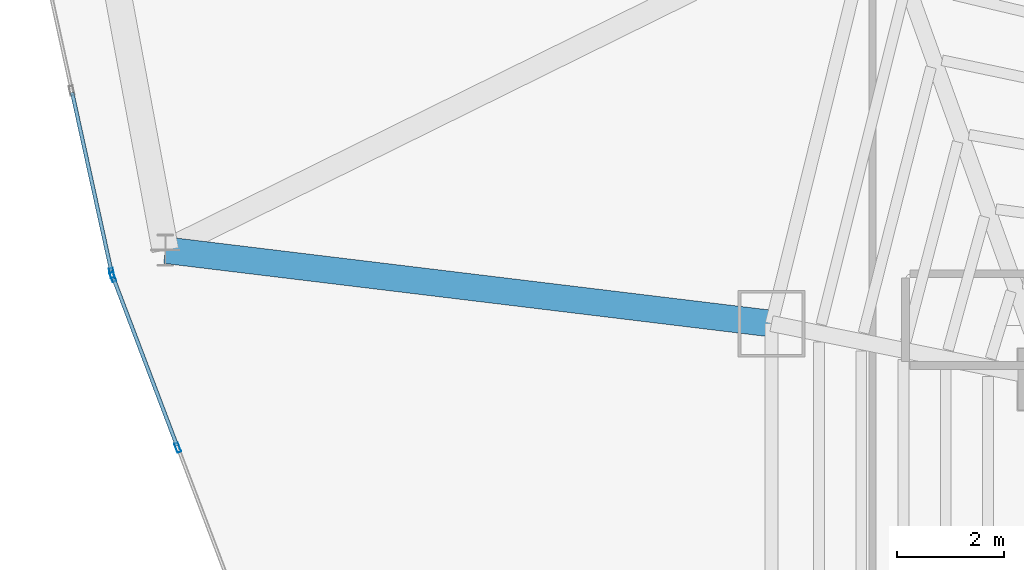
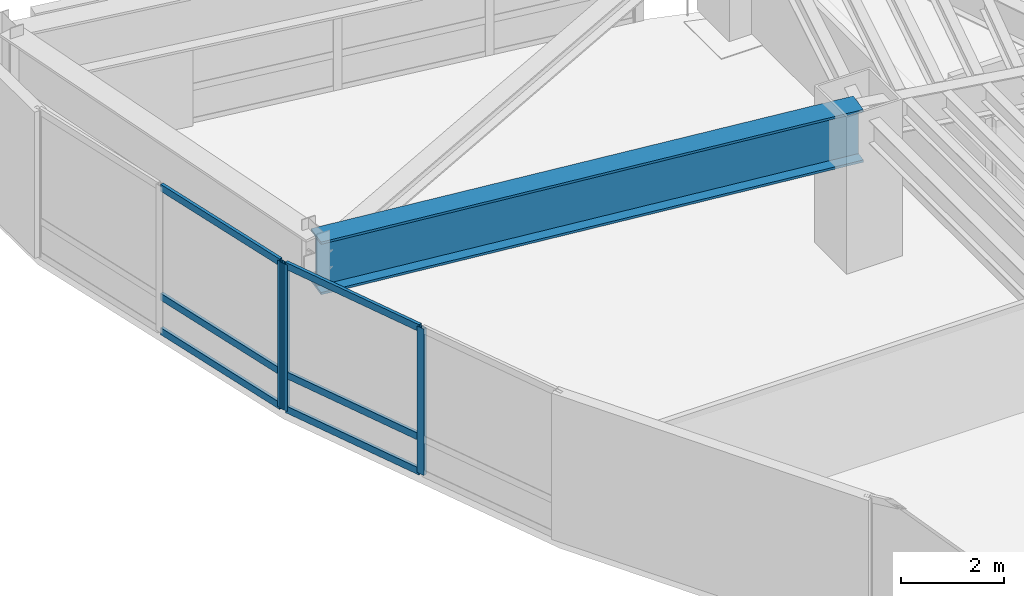
# One storey, part 8 of 23: 9 members, 1 beam, 2 elements without a shape of their own.
"""IFC4 building model written with IfcOpenShell, lengths in metres."""

from ifc_helpers import new_model, si_unit, direction, frame, origin, origin_2d, place, context, subcontext, project, spatial, hollow_rectangle, i_section, extrude, material, layer, layer_set, material_profile, profile_set, type_object, element, aggregate, save


model = new_model("IFC4")

# Units and contexts
model_context = context("Model", 3, precision=1e-05, world=origin(), true_north=direction((0.0, 1.0)))
body_context = subcontext(model_context, "Body", "Model", "MODEL_VIEW")
ifc_project = project(units=[si_unit("LENGTHUNIT", "METRE"), si_unit("AREAUNIT", "SQUARE_METRE"), si_unit("VOLUMEUNIT", "CUBIC_METRE"), si_unit("PLANEANGLEUNIT", "RADIAN"), si_unit("MASSUNIT", "GRAM", prefix="KILO")], contexts=[model_context])

# Site, building, storey
site_placement = place(None, origin())
site = spatial("IfcSite", under=ifc_project, at=site_placement, CompositionType="ELEMENT")
building_placement = place(site_placement, origin())
building = spatial("IfcBuilding", under=site, at=building_placement, Name="Menara Vayukalpa", CompositionType="ELEMENT")
storey_placement = place(building_placement, frame((0.0, 0.0, 107.699951171875)))
storey = spatial("IfcBuildingStorey", under=building, at=storey_placement, Name="L26", CompositionType="ELEMENT", Elevation=107.699951171875)

# Beam
ifc_material_1 = material(Name="Steel S460", Category="steel")
ifc_material_profile_1 = material_profile(ifc_material_1, i_section(OverallWidth=0.5, OverallDepth=1.25, WebThickness=0.028076171875, FlangeThickness=0.054931640625, at=origin_2d()), Name="WG 1250x500x28x55")
ifc_profile_set_1 = profile_set([ifc_material_profile_1], Name="Steel S460")
beam_type = type_object("IfcBeamType", Name="BM-TG2", PredefinedType="BEAM", material=ifc_profile_set_1)
beam_placement = place(storey_placement, frame((12.606689453125, 27.845703125, 2.844970703125), z_axis=(-0.992737332151, 0.120302075433, 0.0), x_axis=(-0.120302075433, -0.992737332151, 0.0)))
element("IfcBeam", 1, at=beam_placement, inside=storey, type_object=beam_type, Name="L26 SB2 Sky Bar Vierendeel Girder 05", PredefinedType="BEAM", context=body_context, shape_type="SweptSolid", body=[
    extrude(i_section(OverallWidth=0.5, OverallDepth=1.25, WebThickness=0.028076171875, FlangeThickness=0.054931640625, at=origin_2d()), origin(), (0.0, 0.0, 1.0), 11.449951171875),
])

# Curtain wall, member
ifc_material_2 = material(Name="Anodised Terracotta Aluminium Alloy 6063-T6", Category="masonry")
ifc_layer = layer(ifc_material_2, 0.179931640625)
ifc_layer_set = layer_set([ifc_layer], Name="Anodised Terracotta Aluminium Alloy 6063-T6")
curtain_wall_type = type_object("IfcCurtainWallType", Name="CW-CW4", PredefinedType="USERDEFINED", material=ifc_layer_set)
curtain_wall_1_placement = place(storey_placement, origin())
curtain_wall_1 = element("IfcCurtainWall", 2, at=curtain_wall_1_placement, inside=storey, type_object=curtain_wall_type, Name="L26 Sky Bar Cantilever Glazed Curtain Wall CW4 10", ObjectType="UNITISED", PredefinedType="USERDEFINED")
ifc_material_3 = material(Name="Anodised Terracotta Aluminium Alloy 6063-T6", Category="masonry")
ifc_material_profile_2 = material_profile(ifc_material_3, hollow_rectangle(XDim=0.074951171875, YDim=0.179931640625, WallThickness=0.00390625, at=origin_2d()), Name="ALU 75x180x4")
ifc_profile_set_2 = profile_set([ifc_material_profile_2], Name="Anodised Terracotta Aluminium Alloy 6063-T6")
member_type_1 = type_object("IfcMemberType", Name="CWM-CW4", PredefinedType="MULLION", material=ifc_profile_set_2)
member_1_placement = place(storey_placement, frame((0.2353515625, 28.793701171875, 0.0), z_axis=(0.0, 0.0, 1.0), x_axis=(0.976721757533, 0.214510159112, 0.0)))
member_1 = element("IfcMember", 3, at=member_1_placement, type_object=member_type_1, Name="CW4 mullion 3", PredefinedType="MULLION", context=body_context, shape_type="SweptSolid", body=[
    extrude(hollow_rectangle(XDim=0.074951171875, YDim=0.179931640625, WallThickness=0.00390625, at=origin_2d()), origin(), (0.0, 0.0, 1.0), 3.469970703125),
])

# Curtain wall, members
curtain_wall_2_placement = place(storey_placement, origin())
curtain_wall_2 = element("IfcCurtainWall", 4, at=curtain_wall_2_placement, inside=storey, type_object=curtain_wall_type, Name="L26 Sky Bar Cantilever Glazed Curtain Wall CW4 11", ObjectType="UNITISED", PredefinedType="USERDEFINED")
member_2_placement = place(storey_placement, frame((0.2568359375, 28.721923828125, 0.0), z_axis=(0.0, 0.0, 1.0), x_axis=(0.934964177732, 0.354742140657, 0.0)))
member_2 = element("IfcMember", 5, at=member_2_placement, type_object=member_type_1, Name="CW4 mullion 1", PredefinedType="MULLION", context=body_context, shape_type="SweptSolid", body=[
    extrude(hollow_rectangle(XDim=0.074951171875, YDim=0.179931640625, WallThickness=0.00390625, at=origin_2d()), origin(), (0.0, 0.0, 1.0), 3.469970703125),
])
member_3_placement = place(storey_placement, frame((1.47216796875, 25.518798828125, 0.0), z_axis=(0.0, 0.0, 1.0), x_axis=(0.934964177732, 0.354742140657, 0.0)))
member_3 = element("IfcMember", 6, at=member_3_placement, type_object=member_type_1, Name="CW4 mullion 2", PredefinedType="MULLION", context=body_context, shape_type="SweptSolid", body=[
    extrude(hollow_rectangle(XDim=0.074951171875, YDim=0.179931640625, WallThickness=0.00390625, at=origin_2d()), origin(), (0.0, 0.0, 1.0), 3.469970703125),
])

# Member
ifc_material_4 = material(Name="Anodised Terracotta Aluminium Alloy 6063-T6", Category="masonry")
ifc_material_profile_3 = material_profile(ifc_material_4, hollow_rectangle(XDim=0.070068359375, YDim=0.1650390625, WallThickness=0.00390625, at=origin_2d()), Name="ALU 70x165x4")
ifc_profile_set_3 = profile_set([ifc_material_profile_3], Name="Anodised Terracotta Aluminium Alloy 6063-T6")
member_type_2 = type_object("IfcMemberType", Name="CWT-CW4", PredefinedType="USERDEFINED", material=ifc_profile_set_3)
member_4_placement = place(storey_placement, frame((-0.5078125, 32.17822265625, 0.03515625), z_axis=(0.214463645248, -0.976731971867, 0.0), x_axis=(0.976731971867, 0.214463645248, 0.0)))
member_4 = element("IfcMember", 7, at=member_4_placement, type_object=member_type_2, Name="CW4 transom 2.1", ObjectType="TRANSOM", PredefinedType="USERDEFINED", context=body_context, shape_type="SweptSolid", body=[
    extrude(hollow_rectangle(XDim=0.070068359375, YDim=0.1650390625, WallThickness=0.00390625, at=origin_2d()), origin(), (0.0, 0.0, 1.0), 3.427734375),
])

member_5_placement = place(storey_placement, frame((-0.5078125, 32.17822265625, 0.85009765625), z_axis=(0.214463645248, -0.976731971867, 0.0), x_axis=(0.976731971867, 0.214463645248, 0.0)))
member_5 = element("IfcMember", 8, at=member_5_placement, type_object=member_type_2, Name="CW4 transom 2.2", ObjectType="TRANSOM", PredefinedType="USERDEFINED", context=body_context, shape_type="SweptSolid", body=[
    extrude(hollow_rectangle(XDim=0.070068359375, YDim=0.1650390625, WallThickness=0.00390625, at=origin_2d()), origin(), (0.0, 0.0, 1.0), 3.427734375),
])

member_6_placement = place(storey_placement, frame((-0.5078125, 32.17822265625, 3.43505859375), z_axis=(0.214463645248, -0.976731971867, 0.0), x_axis=(0.976731971867, 0.214463645248, 0.0)))
member_6 = element("IfcMember", 9, at=member_6_placement, type_object=member_type_2, Name="CW4 transom 2.3", ObjectType="TRANSOM", PredefinedType="USERDEFINED", context=body_context, shape_type="SweptSolid", body=[
    extrude(hollow_rectangle(XDim=0.070068359375, YDim=0.1650390625, WallThickness=0.00390625, at=origin_2d()), origin(), (0.0, 0.0, 1.0), 3.427734375),
])

aggregate(curtain_wall_1, [member_1, member_4, member_5, member_6])

member_7_placement = place(storey_placement, frame((0.27001953125, 28.68701171875, 0.03515625), z_axis=(0.354737691882, -0.934965865665, 0.0), x_axis=(0.934965865665, 0.354737691882, 0.0)))
member_7 = element("IfcMember", 10, at=member_7_placement, type_object=member_type_2, Name="CW4 transom 1.1", ObjectType="TRANSOM", PredefinedType="USERDEFINED", context=body_context, shape_type="SweptSolid", body=[
    extrude(hollow_rectangle(XDim=0.070068359375, YDim=0.1650390625, WallThickness=0.00390625, at=origin_2d()), origin(), (0.0, 0.0, 1.0), 3.35107421875),
])

member_8_placement = place(storey_placement, frame((0.27001953125, 28.68701171875, 0.85009765625), z_axis=(0.354737691882, -0.934965865665, 0.0), x_axis=(0.934965865665, 0.354737691882, 0.0)))
member_8 = element("IfcMember", 11, at=member_8_placement, type_object=member_type_2, Name="CW4 transom 1.2", ObjectType="TRANSOM", PredefinedType="USERDEFINED", context=body_context, shape_type="SweptSolid", body=[
    extrude(hollow_rectangle(XDim=0.070068359375, YDim=0.1650390625, WallThickness=0.00390625, at=origin_2d()), origin(), (0.0, 0.0, 1.0), 3.35107421875),
])

member_9_placement = place(storey_placement, frame((0.27001953125, 28.68701171875, 3.43505859375), z_axis=(0.354737691882, -0.934965865665, 0.0), x_axis=(0.934965865665, 0.354737691882, 0.0)))
member_9 = element("IfcMember", 12, at=member_9_placement, type_object=member_type_2, Name="CW4 transom 1.3", ObjectType="TRANSOM", PredefinedType="USERDEFINED", context=body_context, shape_type="SweptSolid", body=[
    extrude(hollow_rectangle(XDim=0.070068359375, YDim=0.1650390625, WallThickness=0.00390625, at=origin_2d()), origin(), (0.0, 0.0, 1.0), 3.35107421875),
])

aggregate(curtain_wall_2, [member_2, member_3, member_7, member_8, member_9])

save(model, "model.ifc")
